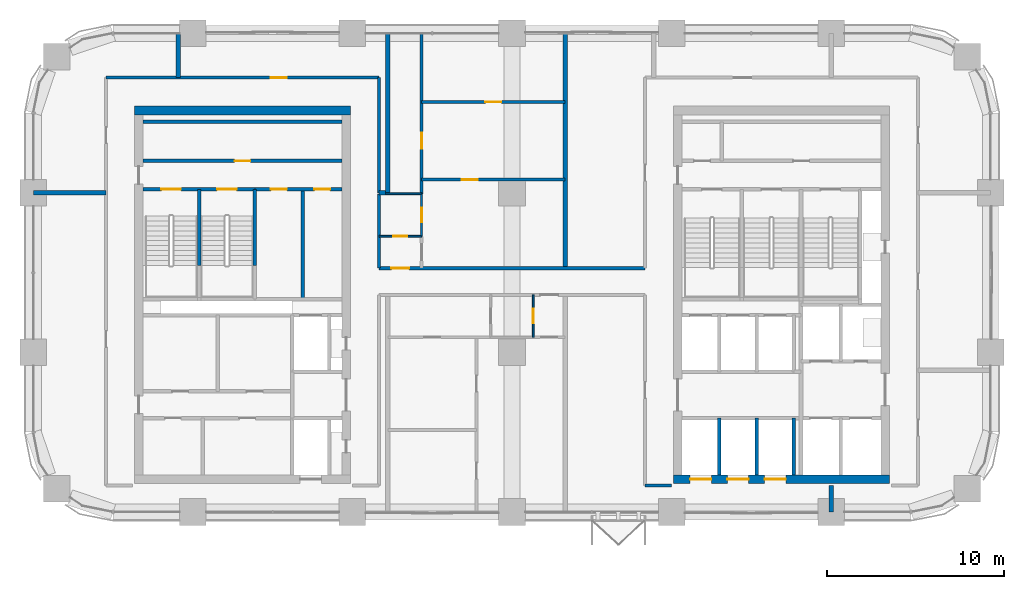
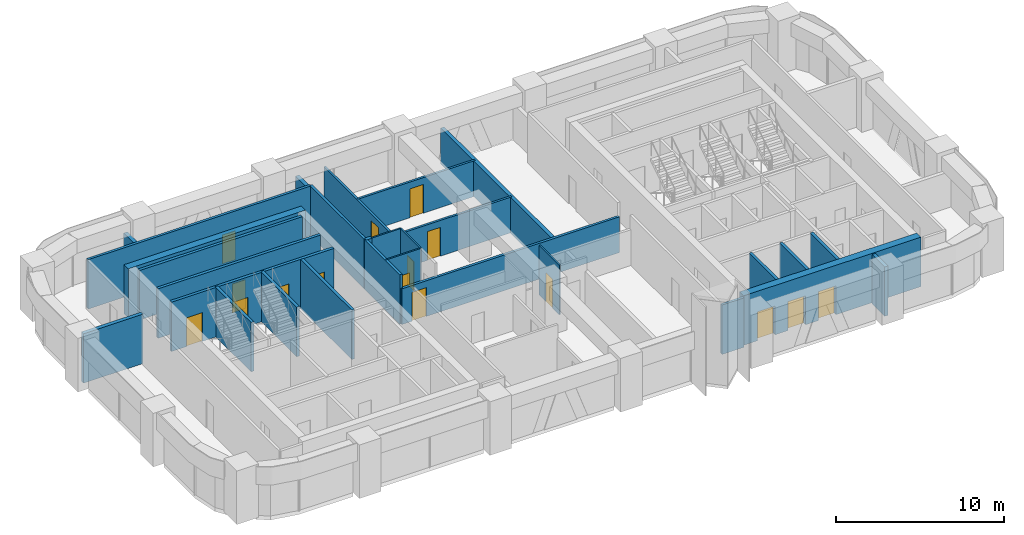
# One storey, part 10 of 14: 30 walls, 16 doors, 16 openings.
"""IFC4 building model written with IfcOpenShell, lengths in metres."""

from ifc_helpers import new_model, si_unit, direction, frame, frame_2d, origin, place, context, subcontext, project, spatial, rectangle, extrude, material, layer, layer_set, type_object, element, fill, save


model = new_model("IFC4")

# Units and contexts
model_context = context("Model", 3, precision=1e-05, world=origin(), true_north=direction((0.0, 1.0)))
body_context = subcontext(model_context, "Body", "Model", "MODEL_VIEW")
ifc_project = project(units=[si_unit("LENGTHUNIT", "METRE"), si_unit("AREAUNIT", "SQUARE_METRE"), si_unit("VOLUMEUNIT", "CUBIC_METRE"), si_unit("PLANEANGLEUNIT", "RADIAN"), si_unit("MASSUNIT", "GRAM", prefix="KILO")], contexts=[model_context])

# Site, building, storey
site_placement = place(None, origin())
site = spatial("IfcSite", under=ifc_project, at=site_placement, CompositionType="ELEMENT")
building_placement = place(site_placement, origin())
building = spatial("IfcBuilding", under=site, at=building_placement, Name="Tessera Arch", CompositionType="ELEMENT")
storey_placement = place(building_placement, frame((0.0, 0.0, 134.89990234375)))
storey = spatial("IfcBuildingStorey", under=building, at=storey_placement, Name="L31", CompositionType="ELEMENT", Elevation=134.89990234375)

# Wall
ifc_material_1 = material(Name="Gypsum board on steel stud", Category="steel")
ifc_layer_1 = layer(ifc_material_1, 0.125)
ifc_layer_set_1 = layer_set([ifc_layer_1], Name="Core partition 125 EI 60")
wall_type_1 = type_object("IfcWallType", Name="Core partition 125 EI 60", PredefinedType="PARTITIONING", material=ifc_layer_set_1)
wall_1_placement = place(storey_placement, frame((15.195068359375, 39.0, 0.0), z_axis=(0.0, 0.0, 1.0), x_axis=(0.0, 1.0, 0.0)))
element("IfcWall", 1, at=wall_1_placement, inside=storey, type_object=wall_type_1, Name="L31 C2 partition wall 10", PredefinedType="PARTITIONING", context=body_context, shape_type="SweptSolid", body=[
    extrude(rectangle(XDim=6.199951171875, YDim=0.199951171875, at=frame_2d((3.10009765625, 0.0))), origin(), (0.0, 0.0, 1.0), 3.60009765625),
])

# Wall, openings, doors
wall_2_placement = place(storey_placement, frame((12.5, 45.199951171875, 0.0), z_axis=(0.0, 0.0, 1.0), x_axis=(1.0, 0.0, 0.0)))
wall_2 = element("IfcWall", 2, at=wall_2_placement, inside=storey, type_object=wall_type_1, Name="L31 C2 partition wall 22", PredefinedType="PARTITIONING", context=body_context, shape_type="SweptSolid", body=[
    extrude(rectangle(XDim=4.89990234375, YDim=0.199951171875, at=frame_2d((2.449951171875, 0.0))), origin(), (0.0, 0.0, 1.0), 3.60009765625),
])
opening_1_placement = place(wall_2_placement, frame((0.8974609375, 0.0, 0.0)))
opening_1 = element("IfcOpeningElement", 3, at=opening_1_placement, cuts=wall_2, Name="Opening L31-C30", PredefinedType="OPENING", context=body_context, shape_type="SweptSolid", body=[
    extrude(rectangle(XDim=0.89990234375, YDim=2.10009765625, at=frame_2d((0.449951171875, 1.050048828125))), frame((0.0, 0.10986328125, 0.0), z_axis=(0.0, -1.0, 0.0), x_axis=(1.0, 0.0, 0.0)), (0.0, 0.0, 1.0), 0.219970703125),
])
opening_2_placement = place(wall_2_placement, frame((3.347412109375, 0.0, 0.0)))
opening_2 = element("IfcOpeningElement", 4, at=opening_2_placement, cuts=wall_2, Name="Opening L31-C31", PredefinedType="OPENING", context=body_context, shape_type="SweptSolid", body=[
    extrude(rectangle(XDim=0.89990234375, YDim=2.10009765625, at=frame_2d((0.449951171875, 1.050048828125))), frame((0.0, 0.10986328125, 0.0), z_axis=(0.0, -1.0, 0.0), x_axis=(1.0, 0.0, 0.0)), (0.0, 0.0, 1.0), 0.219970703125),
])
ifc_material_2 = material(Name="Steel door leaf", Category="steel")
door_type_1 = type_object("IfcDoorType", Name="Store door FD30S 900 x 2100", OperationType="SINGLE_SWING_LEFT", PredefinedType="DOOR", material=ifc_material_2)
door_1_placement = place(opening_1_placement, origin())
door_1 = element("IfcDoor", 5, at=door_1_placement, inside=storey, type_object=door_type_1, Name="L31 C2 door 11 C30 type D09", OperationType="SINGLE_SWING_LEFT", OverallHeight=2.10009765625, OverallWidth=0.89990234375, PredefinedType="DOOR", context=body_context, shape_type="SweptSolid", body=[
    extrude(rectangle(XDim=0.89990234375, YDim=2.10009765625, at=frame_2d((0.449951171875, 1.050048828125))), frame((0.0, 0.02490234375, 0.0), z_axis=(0.0, -1.0, 0.0), x_axis=(1.0, 0.0, 0.0)), (0.0, 0.0, 1.0), 0.050048828125),
])
fill(opening_1, door_1)
door_2_placement = place(opening_2_placement, origin())
door_2 = element("IfcDoor", 6, at=door_2_placement, inside=storey, type_object=door_type_1, Name="L31 C2 door 12 C31 type D09", OperationType="SINGLE_SWING_RIGHT", OverallHeight=2.10009765625, OverallWidth=0.89990234375, PredefinedType="DOOR", context=body_context, shape_type="SweptSolid", body=[
    extrude(rectangle(XDim=0.89990234375, YDim=2.10009765625, at=frame_2d((0.449951171875, 1.050048828125))), frame((0.0, 0.02490234375, 0.0), z_axis=(0.0, -1.0, 0.0), x_axis=(1.0, 0.0, 0.0)), (0.0, 0.0, 1.0), 0.050048828125),
])
fill(opening_2, door_2)

# Wall, opening, door
wall_3_placement = place(storey_placement, frame((6.199951171875, 46.800048828125, 0.0), z_axis=(0.0, 0.0, 1.0), x_axis=(1.0, 0.0, 0.0)))
wall_3 = element("IfcWall", 7, at=wall_3_placement, inside=storey, type_object=wall_type_1, Name="L31 C2 partition wall 24", PredefinedType="PARTITIONING", context=body_context, shape_type="SweptSolid", body=[
    extrude(rectangle(XDim=11.199951171875, YDim=0.199951171875, at=frame_2d((5.60009765625, 0.0))), origin(), (0.0, 0.0, 1.0), 3.60009765625),
])
opening_3_placement = place(wall_3_placement, frame((5.14990234375, 0.0, 0.0)))
opening_3 = element("IfcOpeningElement", 8, at=opening_3_placement, cuts=wall_3, Name="Opening L31-C29", PredefinedType="OPENING", context=body_context, shape_type="SweptSolid", body=[
    extrude(rectangle(XDim=0.89990234375, YDim=2.10009765625, at=frame_2d((0.449951171875, 1.050048828125))), frame((0.0, 0.10986328125, 0.0), z_axis=(0.0, -1.0, 0.0), x_axis=(1.0, 0.0, 0.0)), (0.0, 0.0, 1.0), 0.219970703125),
])
door_3_placement = place(opening_3_placement, origin())
door_3 = element("IfcDoor", 9, at=door_3_placement, inside=storey, type_object=door_type_1, Name="L31 C2 door 10 C29 type D09", OperationType="SINGLE_SWING_RIGHT", OverallHeight=2.10009765625, OverallWidth=0.89990234375, PredefinedType="DOOR", context=body_context, shape_type="SweptSolid", body=[
    extrude(rectangle(XDim=0.89990234375, YDim=2.10009765625, at=frame_2d((0.449951171875, 1.050048828125))), frame((0.0, 0.02490234375, 0.0), z_axis=(0.0, -1.0, 0.0), x_axis=(1.0, 0.0, 0.0)), (0.0, 0.0, 1.0), 0.050048828125),
])
fill(opening_3, door_3)

# Wall
wall_4_placement = place(storey_placement, frame((6.199951171875, 49.0, 0.0), z_axis=(0.0, 0.0, 1.0), x_axis=(1.0, 0.0, 0.0)))
element("IfcWall", 10, at=wall_4_placement, inside=storey, type_object=wall_type_1, Name="L31 C2 partition wall 25", PredefinedType="PARTITIONING", context=body_context, shape_type="SweptSolid", body=[
    extrude(rectangle(XDim=11.199951171875, YDim=0.199951171875, at=frame_2d((5.60009765625, 0.0))), origin(), (0.0, 0.0, 1.0), 3.60009765625),
])

# Wall, openings, doors
ifc_material_3 = material(Name="Concrete C60/75", Category="concrete")
ifc_layer_2 = layer(ifc_material_3, 0.5)
ifc_layer_set_2 = layer_set([ifc_layer_2], Name="Core shell wall 500 C60-75")
wall_type_2 = type_object("IfcWallType", Name="Core shell wall 500 C60-75", PredefinedType="SHEAR", material=ifc_layer_set_2)
wall_5_placement = place(storey_placement, frame((36.10009765625, 28.85009765625, 0.0), z_axis=(0.0, 0.0, 1.0), x_axis=(1.0, 0.0, 0.0)))
wall_5 = element("IfcWall", 11, at=wall_5_placement, inside=storey, type_object=wall_type_2, Name="L31 C1 core wall S", PredefinedType="SHEAR", context=body_context, shape_type="SweptSolid", body=[
    extrude(rectangle(XDim=12.199951171875, YDim=0.5, at=frame_2d((6.10009765625, 0.0))), origin(), (0.0, 0.0, 1.0), 3.60009765625),
])
opening_4_placement = place(wall_5_placement, frame((0.949951171875, 0.0, 0.0)))
opening_4 = element("IfcOpeningElement", 12, at=opening_4_placement, cuts=wall_5, Name="Opening L31-C01", PredefinedType="OPENING", context=body_context, shape_type="SweptSolid", body=[
    extrude(rectangle(XDim=1.199951171875, YDim=2.10009765625, at=frame_2d((0.60009765625, 1.050048828125))), frame((0.0, 0.260009765625, 0.0), z_axis=(0.0, -1.0, 0.0), x_axis=(1.0, 0.0, 0.0)), (0.0, 0.0, 1.0), 0.52001953125),
])
opening_5_placement = place(wall_5_placement, frame((3.050048828125, 0.0, 0.0)))
opening_5 = element("IfcOpeningElement", 13, at=opening_5_placement, cuts=wall_5, Name="Opening L31-C03", PredefinedType="OPENING", context=body_context, shape_type="SweptSolid", body=[
    extrude(rectangle(XDim=1.199951171875, YDim=2.10009765625, at=frame_2d((0.60009765625, 1.050048828125))), frame((0.0, 0.260009765625, 0.0), z_axis=(0.0, -1.0, 0.0), x_axis=(1.0, 0.0, 0.0)), (0.0, 0.0, 1.0), 0.52001953125),
])
opening_6_placement = place(wall_5_placement, frame((5.14990234375, 0.0, 0.0)))
opening_6 = element("IfcOpeningElement", 14, at=opening_6_placement, cuts=wall_5, Name="Opening L31-C05", PredefinedType="OPENING", context=body_context, shape_type="SweptSolid", body=[
    extrude(rectangle(XDim=1.199951171875, YDim=2.10009765625, at=frame_2d((0.60009765625, 1.050048828125))), frame((0.0, 0.260009765625, 0.0), z_axis=(0.0, -1.0, 0.0), x_axis=(1.0, 0.0, 0.0)), (0.0, 0.0, 1.0), 0.52001953125),
])
ifc_material_4 = material(Name="Stainless steel AISI 304", Category="steel")
door_type_2 = type_object("IfcDoorType", Name="Sliding landing door 1200 x 2100", OperationType="SLIDING_TO_LEFT", PredefinedType="DOOR", material=ifc_material_4)
door_4_placement = place(opening_4_placement, origin())
door_4 = element("IfcDoor", 15, at=door_4_placement, inside=storey, type_object=door_type_2, Name="L31 HR1 lift landing door C01 type LD", OperationType="SLIDING_TO_LEFT", OverallHeight=2.10009765625, OverallWidth=1.199951171875, PredefinedType="DOOR", context=body_context, shape_type="SweptSolid", body=[
    extrude(rectangle(XDim=1.199951171875, YDim=2.10009765625, at=frame_2d((0.60009765625, 1.050048828125))), frame((0.0, 0.02490234375, 0.0), z_axis=(0.0, -1.0, 0.0), x_axis=(1.0, 0.0, 0.0)), (0.0, 0.0, 1.0), 0.050048828125),
])
fill(opening_4, door_4)
door_5_placement = place(opening_5_placement, origin())
door_5 = element("IfcDoor", 16, at=door_5_placement, inside=storey, type_object=door_type_2, Name="L31 HR2 lift landing door C03 type LD", OperationType="SLIDING_TO_LEFT", OverallHeight=2.10009765625, OverallWidth=1.199951171875, PredefinedType="DOOR", context=body_context, shape_type="SweptSolid", body=[
    extrude(rectangle(XDim=1.199951171875, YDim=2.10009765625, at=frame_2d((0.60009765625, 1.050048828125))), frame((0.0, 0.02490234375, 0.0), z_axis=(0.0, -1.0, 0.0), x_axis=(1.0, 0.0, 0.0)), (0.0, 0.0, 1.0), 0.050048828125),
])
fill(opening_5, door_5)
door_6_placement = place(opening_6_placement, origin())
door_6 = element("IfcDoor", 17, at=door_6_placement, inside=storey, type_object=door_type_2, Name="L31 HR3 lift landing door C05 type LD", OperationType="SLIDING_TO_LEFT", OverallHeight=2.10009765625, OverallWidth=1.199951171875, PredefinedType="DOOR", context=body_context, shape_type="SweptSolid", body=[
    extrude(rectangle(XDim=1.199951171875, YDim=2.10009765625, at=frame_2d((0.60009765625, 1.050048828125))), frame((0.0, 0.02490234375, 0.0), z_axis=(0.0, -1.0, 0.0), x_axis=(1.0, 0.0, 0.0)), (0.0, 0.0, 1.0), 0.050048828125),
])
fill(opening_6, door_6)

# Walls
wall_6_placement = place(storey_placement, frame((5.699951171875, 49.64990234375, 0.0), z_axis=(0.0, 0.0, 1.0), x_axis=(1.0, 0.0, 0.0)))
element("IfcWall", 18, at=wall_6_placement, inside=storey, type_object=wall_type_2, Name="L31 C2 core wall N", PredefinedType="SHEAR", context=body_context, shape_type="SweptSolid", body=[
    extrude(rectangle(XDim=12.199951171875, YDim=0.5, at=frame_2d((6.10009765625, 0.0))), origin(), (0.0, 0.0, 1.0), 3.60009765625),
])
ifc_material_5 = material(Name="Gypsum board on deep steel stud with mineral wool", Category="steel")
ifc_layer_3 = layer(ifc_material_5, 0.175048828125)
ifc_layer_set_3 = layer_set([ifc_layer_3], Name="Corridor wall 175 EI 60")
wall_type_3 = type_object("IfcWallType", Name="Corridor wall 175 EI 60", PredefinedType="PARTITIONING", material=ifc_layer_set_3)
wall_7_placement = place(storey_placement, frame((34.5, 28.5, 0.0), z_axis=(0.0, 0.0, 1.0), x_axis=(1.0, 0.0, 0.0)))
element("IfcWall", 19, at=wall_7_placement, inside=storey, type_object=wall_type_3, Name="L31 partition 3", PredefinedType="PARTITIONING", context=body_context, shape_type="SweptSolid", body=[
    extrude(rectangle(XDim=1.5, YDim=0.175048828125, at=frame_2d((0.75, 0.0))), origin(), (0.0, 0.0, 1.0), 3.60009765625),
])

# Wall, opening, door
wall_8_placement = place(storey_placement, frame((19.5, 40.75, 0.0), z_axis=(0.0, 0.0, 1.0), x_axis=(1.0, 0.0, 0.0)))
wall_8 = element("IfcWall", 20, at=wall_8_placement, inside=storey, type_object=wall_type_3, Name="L31 partition 6", PredefinedType="PARTITIONING", context=body_context, shape_type="SweptSolid", body=[
    extrude(rectangle(XDim=15.0, YDim=0.175048828125, at=frame_2d((7.5, 0.0))), origin(), (0.0, 0.0, 1.0), 2.60009765625),
])
opening_7_placement = place(wall_8_placement, frame((0.699951171875, 0.0, 0.0)))
opening_7 = element("IfcOpeningElement", 21, at=opening_7_placement, cuts=wall_8, Name="Opening L31-D012", PredefinedType="OPENING", context=body_context, shape_type="SweptSolid", body=[
    extrude(rectangle(XDim=1.0, YDim=2.10009765625, at=frame_2d((0.5, 1.050048828125))), frame((0.0, 0.097412109375, 0.0), z_axis=(0.0, -1.0, 0.0), x_axis=(1.0, 0.0, 0.0)), (0.0, 0.0, 1.0), 0.195068359375),
])
ifc_material_6 = material(Name="Fire-rated door leaf")
door_type_3 = type_object("IfcDoorType", Name="Entrance door FD30S 1000 x 2100", OperationType="SINGLE_SWING_LEFT", PredefinedType="DOOR", material=ifc_material_6)
door_7_placement = place(opening_7_placement, origin())
door_7 = element("IfcDoor", 22, at=door_7_placement, inside=storey, type_object=door_type_3, Name="L31 door D012 type D03", OperationType="SINGLE_SWING_LEFT", OverallHeight=2.10009765625, OverallWidth=1.0, PredefinedType="DOOR", context=body_context, shape_type="SweptSolid", body=[
    extrude(rectangle(XDim=1.0, YDim=2.10009765625, at=frame_2d((0.5, 1.050048828125))), frame((0.0, 0.02490234375, 0.0), z_axis=(0.0, -1.0, 0.0), x_axis=(1.0, 0.0, 0.0)), (0.0, 0.0, 1.0), 0.050048828125),
])
fill(opening_7, door_7)

wall_9_placement = place(storey_placement, frame((4.10009765625, 51.5, 0.0), z_axis=(0.0, 0.0, 1.0), x_axis=(1.0, 0.0, 0.0)))
wall_9 = element("IfcWall", 23, at=wall_9_placement, inside=storey, type_object=wall_type_3, Name="L31 partition 7", PredefinedType="PARTITIONING", context=body_context, shape_type="SweptSolid", body=[
    extrude(rectangle(XDim=15.39990234375, YDim=0.175048828125, at=frame_2d((7.699951171875, 0.0))), origin(), (0.0, 0.0, 1.0), 3.60009765625),
])
opening_8_placement = place(wall_9_placement, frame((9.28369140625, 0.0, 0.0)))
opening_8 = element("IfcOpeningElement", 24, at=opening_8_placement, cuts=wall_9, Name="Opening L31-D022", PredefinedType="OPENING", context=body_context, shape_type="SweptSolid", body=[
    extrude(rectangle(XDim=0.89990234375, YDim=2.10009765625, at=frame_2d((0.449951171875, 1.050048828125))), frame((0.0, 0.097412109375, 0.0), z_axis=(0.0, -1.0, 0.0), x_axis=(1.0, 0.0, 0.0)), (0.0, 0.0, 1.0), 0.195068359375),
])
ifc_material_7 = material(Name="Timber door leaf", Category="wood")
door_type_4 = type_object("IfcDoorType", Name="Room door 900 x 2100", OperationType="SINGLE_SWING_LEFT", PredefinedType="DOOR", material=ifc_material_7)
door_8_placement = place(opening_8_placement, origin())
door_8 = element("IfcDoor", 25, at=door_8_placement, inside=storey, type_object=door_type_4, Name="L31 door D022 type D01", OperationType="SINGLE_SWING_LEFT", OverallHeight=2.10009765625, OverallWidth=0.89990234375, PredefinedType="DOOR", context=body_context, shape_type="SweptSolid", body=[
    extrude(rectangle(XDim=0.89990234375, YDim=2.10009765625, at=frame_2d((0.449951171875, 1.050048828125))), frame((0.0, 0.02490234375, 0.0), z_axis=(0.0, -1.0, 0.0), x_axis=(1.0, 0.0, 0.0)), (0.0, 0.0, 1.0), 0.050048828125),
])
fill(opening_8, door_8)

# Walls
wall_10_placement = place(storey_placement, frame((19.5, 40.75, 0.0), z_axis=(0.0, 0.0, 1.0), x_axis=(0.0, 1.0, 0.0)))
element("IfcWall", 26, at=wall_10_placement, inside=storey, type_object=wall_type_3, Name="L31 partition 11", PredefinedType="PARTITIONING", context=body_context, shape_type="SweptSolid", body=[
    extrude(rectangle(XDim=4.199951171875, YDim=0.175048828125, at=frame_2d((2.10009765625, 0.0))), origin(), (0.0, 0.0, 1.0), 3.60009765625),
])
wall_11_placement = place(storey_placement, frame((19.5, 45.0, 0.0), z_axis=(0.0, 0.0, 1.0), x_axis=(0.0, 1.0, 0.0)))
element("IfcWall", 27, at=wall_11_placement, inside=storey, type_object=wall_type_3, Name="L31 partition 12", PredefinedType="PARTITIONING", context=body_context, shape_type="SweptSolid", body=[
    extrude(rectangle(XDim=6.5, YDim=0.175048828125, at=frame_2d((3.25, 0.0))), origin(), (0.0, 0.0, 1.0), 3.60009765625),
])

# Wall, opening, door
ifc_material_8 = material(Name="Gypsum board on steel stud", Category="steel")
ifc_layer_4 = layer(ifc_material_8, 0.14990234375)
ifc_layer_set_4 = layer_set([ifc_layer_4], Name="Partition 150")
wall_type_4 = type_object("IfcWallType", Name="Partition 150", PredefinedType="PARTITIONING", material=ifc_layer_set_4)
wall_12_placement = place(storey_placement, frame((21.89990234375, 45.75, 0.0), z_axis=(0.0, 0.0, 1.0), x_axis=(1.0, 0.0, 0.0)))
wall_12 = element("IfcWall", 28, at=wall_12_placement, inside=storey, type_object=wall_type_4, Name="L31 partition 19", PredefinedType="PARTITIONING", context=body_context, shape_type="SweptSolid", body=[
    extrude(rectangle(XDim=8.10009765625, YDim=0.14990234375, at=frame_2d((4.050048828125, 0.0))), origin(), (0.0, 0.0, 1.0), 2.60009765625),
])
opening_9_placement = place(wall_12_placement, frame((2.260009765625, 0.0, 0.0)))
opening_9 = element("IfcOpeningElement", 29, at=opening_9_placement, cuts=wall_12, Name="Opening L31-D017", PredefinedType="OPENING", context=body_context, shape_type="SweptSolid", body=[
    extrude(rectangle(XDim=0.89990234375, YDim=2.10009765625, at=frame_2d((0.449951171875, 1.050048828125))), frame((0.0, 0.0849609375, 0.0), z_axis=(0.0, -1.0, 0.0), x_axis=(1.0, 0.0, 0.0)), (0.0, 0.0, 1.0), 0.169921875),
])
door_9_placement = place(opening_9_placement, origin())
door_9 = element("IfcDoor", 30, at=door_9_placement, inside=storey, type_object=door_type_4, Name="L31 door D017 type D01", OperationType="SINGLE_SWING_LEFT", OverallHeight=2.10009765625, OverallWidth=0.89990234375, PredefinedType="DOOR", context=body_context, shape_type="SweptSolid", body=[
    extrude(rectangle(XDim=0.89990234375, YDim=2.10009765625, at=frame_2d((0.449951171875, 1.050048828125))), frame((0.0, 0.02490234375, 0.0), z_axis=(0.0, -1.0, 0.0), x_axis=(1.0, 0.0, 0.0)), (0.0, 0.0, 1.0), 0.050048828125),
])
fill(opening_9, door_9)

wall_13_placement = place(storey_placement, frame((21.89990234375, 50.123046875, 0.0), z_axis=(0.0, 0.0, 1.0), x_axis=(1.0, 0.0, 0.0)))
wall_13 = element("IfcWall", 31, at=wall_13_placement, inside=storey, type_object=wall_type_4, Name="L31 partition 20", PredefinedType="PARTITIONING", context=body_context, shape_type="SweptSolid", body=[
    extrude(rectangle(XDim=8.10009765625, YDim=0.14990234375, at=frame_2d((4.050048828125, 0.0))), origin(), (0.0, 0.0, 1.0), 2.60009765625),
])
opening_10_placement = place(wall_13_placement, frame((3.60009765625, 0.0, 0.0)))
opening_10 = element("IfcOpeningElement", 32, at=opening_10_placement, cuts=wall_13, Name="Opening L31-D018", PredefinedType="OPENING", context=body_context, shape_type="SweptSolid", body=[
    extrude(rectangle(XDim=0.89990234375, YDim=2.10009765625, at=frame_2d((0.449951171875, 1.050048828125))), frame((0.0, 0.0849609375, 0.0), z_axis=(0.0, -1.0, 0.0), x_axis=(1.0, 0.0, 0.0)), (0.0, 0.0, 1.0), 0.169921875),
])
door_10_placement = place(opening_10_placement, origin())
door_10 = element("IfcDoor", 33, at=door_10_placement, inside=storey, type_object=door_type_4, Name="L31 door D018 type D01", OperationType="SINGLE_SWING_LEFT", OverallHeight=2.10009765625, OverallWidth=0.89990234375, PredefinedType="DOOR", context=body_context, shape_type="SweptSolid", body=[
    extrude(rectangle(XDim=0.89990234375, YDim=2.10009765625, at=frame_2d((0.449951171875, 1.050048828125))), frame((0.0, 0.02490234375, 0.0), z_axis=(0.0, -1.0, 0.0), x_axis=(1.0, 0.0, 0.0)), (0.0, 0.0, 1.0), 0.050048828125),
])
fill(opening_10, door_10)

wall_14_placement = place(storey_placement, frame((21.89990234375, 44.949951171875, 0.0), z_axis=(0.0, 0.0, 1.0), x_axis=(0.0, 1.0, 0.0)))
wall_14 = element("IfcWall", 34, at=wall_14_placement, inside=storey, type_object=wall_type_4, Name="L31 partition 22", PredefinedType="PARTITIONING", context=body_context, shape_type="SweptSolid", body=[
    extrude(rectangle(XDim=9.050048828125, YDim=0.14990234375, at=frame_2d((4.52490234375, 0.0))), origin(), (0.0, 0.0, 1.0), 2.60009765625),
])
opening_11_placement = place(wall_14_placement, frame((2.536376953125, 0.0, 0.0)))
opening_11 = element("IfcOpeningElement", 35, at=opening_11_placement, cuts=wall_14, Name="Opening L31-D016", PredefinedType="OPENING", context=body_context, shape_type="SweptSolid", body=[
    extrude(rectangle(XDim=0.89990234375, YDim=2.10009765625, at=frame_2d((0.449951171875, 1.050048828125))), frame((0.0, 0.0849609375, 0.0), z_axis=(0.0, -1.0, 0.0), x_axis=(1.0, 0.0, 0.0)), (0.0, 0.0, 1.0), 0.169921875),
])
door_11_placement = place(opening_11_placement, origin())
door_11 = element("IfcDoor", 36, at=door_11_placement, inside=storey, type_object=door_type_4, Name="L31 door D016 type D01", OperationType="SINGLE_SWING_LEFT", OverallHeight=2.10009765625, OverallWidth=0.89990234375, PredefinedType="DOOR", context=body_context, shape_type="SweptSolid", body=[
    extrude(rectangle(XDim=0.89990234375, YDim=2.10009765625, at=frame_2d((0.449951171875, 1.050048828125))), frame((0.0, 0.02490234375, 0.0), z_axis=(0.0, -1.0, 0.0), x_axis=(1.0, 0.0, 0.0)), (0.0, 0.0, 1.0), 0.050048828125),
])
fill(opening_11, door_11)

# Walls
ifc_material_9 = material(Name="Double gypsum board on twin steel stud with acoustic mineral wool", Category="steel")
ifc_layer_5 = layer(ifc_material_9, 0.25)
ifc_layer_set_5 = layer_set([ifc_layer_5], Name="Party wall 250 EI 60")
wall_type_5 = type_object("IfcWallType", Name="Party wall 250 EI 60", PredefinedType="PARTITIONING", material=ifc_layer_set_5)
wall_15_placement = place(storey_placement, frame((0.0, 45.0, 0.0), z_axis=(0.0, 0.0, 1.0), x_axis=(1.0, 0.0, 0.0)))
element("IfcWall", 37, at=wall_15_placement, inside=storey, type_object=wall_type_5, Name="L31 partition 25", PredefinedType="PARTITIONING", context=body_context, shape_type="SweptSolid", body=[
    extrude(rectangle(XDim=4.10009765625, YDim=0.25, at=frame_2d((2.050048828125, 0.0))), origin(), (0.0, 0.0, 1.0), 3.60009765625),
])
wall_16_placement = place(storey_placement, frame((19.5, 45.0, 0.0), z_axis=(0.0, 0.0, 1.0), x_axis=(1.0, 0.0, 0.0)))
element("IfcWall", 38, at=wall_16_placement, inside=storey, type_object=wall_type_5, Name="L31 partition 26", PredefinedType="PARTITIONING", context=body_context, shape_type="SweptSolid", body=[
    extrude(rectangle(XDim=0.375, YDim=0.25, at=frame_2d((0.1875, 0.0))), origin(), (0.0, 0.0, 1.0), 3.60009765625),
])
wall_17_placement = place(storey_placement, frame((8.16796875, 51.5, 0.0), z_axis=(0.0, 0.0, 1.0), x_axis=(0.0, 1.0, 0.0)))
element("IfcWall", 39, at=wall_17_placement, inside=storey, type_object=wall_type_5, Name="L31 partition 28", PredefinedType="PARTITIONING", context=body_context, shape_type="SweptSolid", body=[
    extrude(rectangle(XDim=2.5, YDim=0.25, at=frame_2d((1.25, 0.0))), origin(), (0.0, 0.0, 1.0), 2.60009765625),
])
wall_18_placement = place(storey_placement, frame((20.0, 44.875, 0.0), z_axis=(0.0, 0.0, 1.0), x_axis=(0.0, 1.0, 0.0)))
element("IfcWall", 40, at=wall_18_placement, inside=storey, type_object=wall_type_5, Name="L31 partition 30", PredefinedType="PARTITIONING", context=body_context, shape_type="SweptSolid", body=[
    extrude(rectangle(XDim=9.125, YDim=0.25, at=frame_2d((4.5625, 0.0))), origin(), (0.0, 0.0, 1.0), 2.60009765625),
])
wall_19_placement = place(storey_placement, frame((30.0, 40.75, 0.0), z_axis=(0.0, 0.0, 1.0), x_axis=(0.0, 1.0, 0.0)))
element("IfcWall", 41, at=wall_19_placement, inside=storey, type_object=wall_type_5, Name="L31 partition 32", PredefinedType="PARTITIONING", context=body_context, shape_type="SweptSolid", body=[
    extrude(rectangle(XDim=13.25, YDim=0.25, at=frame_2d((6.625, 0.0))), origin(), (0.0, 0.0, 1.0), 2.60009765625),
])
wall_20_placement = place(storey_placement, frame((45.0, 27.0, 0.0), z_axis=(0.0, 0.0, 1.0), x_axis=(0.0, 1.0, 0.0)))
element("IfcWall", 42, at=wall_20_placement, inside=storey, type_object=wall_type_5, Name="L31 partition 34", PredefinedType="PARTITIONING", context=body_context, shape_type="SweptSolid", body=[
    extrude(rectangle(XDim=1.5, YDim=0.25, at=frame_2d((0.75, 0.0))), origin(), (0.0, 0.0, 1.0), 3.60009765625),
])
ifc_material_10 = material(Name="Concrete C40/50", Category="concrete")
ifc_layer_6 = layer(ifc_material_10, 0.199951171875)
ifc_layer_set_6 = layer_set([ifc_layer_6], Name="Shaft wall 200 EI 120")
wall_type_6 = type_object("IfcWallType", Name="Shaft wall 200 EI 120", PredefinedType="SOLIDWALL", material=ifc_layer_set_6)
for number, where, z_axis, x_axis, name in (
    (43, (38.699951171875, 29.10009765625, 0.0), (0.0, 0.0, 1.0), (0.0, 1.0, 0.0), "L31 C1 shaft wall 1"),
    (44, (40.800048828125, 29.10009765625, 0.0), (0.0, 0.0, 1.0), (0.0, 1.0, 0.0), "L31 C1 shaft wall 6"),
    (45, (42.89990234375, 29.10009765625, 0.0), (0.0, 0.0, 1.0), (0.0, 1.0, 0.0), "L31 C1 shaft wall 8"),
):
    element("IfcWall", number, at=place(storey_placement, frame(where, z_axis=z_axis, x_axis=x_axis)), inside=storey, type_object=wall_type_6, Name=name, PredefinedType="SOLIDWALL", context=body_context, shape_type="SweptSolid", body=[
        extrude(rectangle(XDim=3.199951171875, YDim=0.199951171875, at=frame_2d((1.60009765625, 0.0))), origin(), (0.0, 0.0, 1.0), 3.60009765625),
    ])
ifc_material_11 = material(Name="Concrete C40/50", Category="concrete")
ifc_layer_7 = layer(ifc_material_11, 0.199951171875)
ifc_layer_set_7 = layer_set([ifc_layer_7], Name="Stair well wall 200 REI 180")
wall_type_7 = type_object("IfcWallType", Name="Stair well wall 200 REI 180", PredefinedType="SOLIDWALL", material=ifc_layer_set_7)
for number, where, z_axis, x_axis, name in (
    (46, (9.35009765625, 40.89990234375, 0.0), (0.0, 0.0, 1.0), (0.0, 1.0, 0.0), "L31 C2 shaft wall 2"),
    (47, (12.5, 40.89990234375, 0.0), (0.0, 0.0, 1.0), (0.0, 1.0, 0.0), "L31 C2 shaft wall 6"),
):
    element("IfcWall", number, at=place(storey_placement, frame(where, z_axis=z_axis, x_axis=x_axis)), inside=storey, type_object=wall_type_7, Name=name, PredefinedType="SOLIDWALL", context=body_context, shape_type="SweptSolid", body=[
        extrude(rectangle(XDim=4.300048828125, YDim=0.199951171875, at=frame_2d((2.14990234375, 0.0))), origin(), (0.0, 0.0, 1.0), 3.60009765625),
    ])

# Wall, openings, doors
wall_21_placement = place(storey_placement, frame((6.199951171875, 45.199951171875, 0.0), z_axis=(0.0, 0.0, 1.0), x_axis=(1.0, 0.0, 0.0)))
wall_21 = element("IfcWall", 48, at=wall_21_placement, inside=storey, type_object=wall_type_7, Name="L31 C2 shaft wall 23", PredefinedType="SOLIDWALL", context=body_context, shape_type="SweptSolid", body=[
    extrude(rectangle(XDim=6.300048828125, YDim=0.199951171875, at=frame_2d((3.14990234375, 0.0))), origin(), (0.0, 0.0, 1.0), 3.60009765625),
])
opening_12_placement = place(wall_21_placement, frame((1.02490234375, 0.0, 0.0)))
opening_12 = element("IfcOpeningElement", 49, at=opening_12_placement, cuts=wall_21, Name="Opening L31-C24", PredefinedType="OPENING", context=body_context, shape_type="SweptSolid", body=[
    extrude(rectangle(XDim=1.10009765625, YDim=2.10009765625, at=frame_2d((0.550048828125, 1.050048828125))), frame((0.0, 0.10986328125, 0.0), z_axis=(0.0, -1.0, 0.0), x_axis=(1.0, 0.0, 0.0)), (0.0, 0.0, 1.0), 0.219970703125),
])
opening_13_placement = place(wall_21_placement, frame((4.175048828125, 0.0, 0.0)))
opening_13 = element("IfcOpeningElement", 50, at=opening_13_placement, cuts=wall_21, Name="Opening L31-C25", PredefinedType="OPENING", context=body_context, shape_type="SweptSolid", body=[
    extrude(rectangle(XDim=1.10009765625, YDim=2.10009765625, at=frame_2d((0.550048828125, 1.050048828125))), frame((0.0, 0.10986328125, 0.0), z_axis=(0.0, -1.0, 0.0), x_axis=(1.0, 0.0, 0.0)), (0.0, 0.0, 1.0), 0.219970703125),
])
ifc_material_12 = material(Name="Steel door leaf", Category="steel")
door_type_5 = type_object("IfcDoorType", Name="Stair door FD60 1100 x 2100", OperationType="SINGLE_SWING_LEFT", PredefinedType="DOOR", material=ifc_material_12)
door_12_placement = place(opening_12_placement, origin())
door_12 = element("IfcDoor", 51, at=door_12_placement, inside=storey, type_object=door_type_5, Name="L31 C2 door 5 C24 type D05", OperationType="SINGLE_SWING_LEFT", OverallHeight=2.10009765625, OverallWidth=1.10009765625, PredefinedType="DOOR", context=body_context, shape_type="SweptSolid", body=[
    extrude(rectangle(XDim=1.10009765625, YDim=2.10009765625, at=frame_2d((0.550048828125, 1.050048828125))), frame((0.0, 0.02490234375, 0.0), z_axis=(0.0, -1.0, 0.0), x_axis=(1.0, 0.0, 0.0)), (0.0, 0.0, 1.0), 0.050048828125),
])
fill(opening_12, door_12)
door_13_placement = place(opening_13_placement, origin())
door_13 = element("IfcDoor", 52, at=door_13_placement, inside=storey, type_object=door_type_5, Name="L31 C2 door 6 C25 type D05", OperationType="SINGLE_SWING_RIGHT", OverallHeight=2.10009765625, OverallWidth=1.10009765625, PredefinedType="DOOR", context=body_context, shape_type="SweptSolid", body=[
    extrude(rectangle(XDim=1.10009765625, YDim=2.10009765625, at=frame_2d((0.550048828125, 1.050048828125))), frame((0.0, 0.02490234375, 0.0), z_axis=(0.0, -1.0, 0.0), x_axis=(1.0, 0.0, 0.0)), (0.0, 0.0, 1.0), 0.050048828125),
])
fill(opening_13, door_13)

# Wall, opening, door
ifc_material_13 = material(Name="Moisture-resistant board on pre-plumbed steel stud", Category="steel")
ifc_layer_8 = layer(ifc_material_13, 0.10009765625)
ifc_layer_set_8 = layer_set([ifc_layer_8], Name="Wet wall 100")
wall_type_8 = type_object("IfcWallType", Name="Wet wall 100", PredefinedType="PARTITIONING", material=ifc_layer_set_8)
wall_22_placement = place(storey_placement, frame((19.5, 42.550048828125, 0.0), z_axis=(0.0, 0.0, 1.0), x_axis=(1.0, 0.0, 0.0)))
wall_22 = element("IfcWall", 53, at=wall_22_placement, inside=storey, type_object=wall_type_8, Name="L31 partition 37", PredefinedType="PARTITIONING", context=body_context, shape_type="SweptSolid", body=[
    extrude(rectangle(XDim=2.39990234375, YDim=0.10009765625, at=frame_2d((1.199951171875, 0.0))), origin(), (0.0, 0.0, 1.0), 3.60009765625),
])
opening_14_placement = place(wall_22_placement, frame((0.800048828125, 0.0, 0.0)))
opening_14 = element("IfcOpeningElement", 54, at=opening_14_placement, cuts=wall_22, Name="Opening L31-D014", PredefinedType="OPENING", context=body_context, shape_type="SweptSolid", body=[
    extrude(rectangle(XDim=0.800048828125, YDim=2.10009765625, at=frame_2d((0.39990234375, 1.050048828125))), frame((0.0, 0.06005859375, 0.0), z_axis=(0.0, -1.0, 0.0), x_axis=(1.0, 0.0, 0.0)), (0.0, 0.0, 1.0), 0.1201171875),
])
ifc_material_14 = material(Name="Timber door leaf", Category="wood")
door_type_6 = type_object("IfcDoorType", Name="En-suite door 800 x 2100", OperationType="SINGLE_SWING_LEFT", PredefinedType="DOOR", material=ifc_material_14)
door_14_placement = place(opening_14_placement, origin())
door_14 = element("IfcDoor", 55, at=door_14_placement, inside=storey, type_object=door_type_6, Name="L31 door D014 type D02", OperationType="SINGLE_SWING_LEFT", OverallHeight=2.10009765625, OverallWidth=0.800048828125, PredefinedType="DOOR", context=body_context, shape_type="SweptSolid", body=[
    extrude(rectangle(XDim=0.800048828125, YDim=2.10009765625, at=frame_2d((0.39990234375, 1.050048828125))), frame((0.0, 0.02490234375, 0.0), z_axis=(0.0, -1.0, 0.0), x_axis=(1.0, 0.0, 0.0)), (0.0, 0.0, 1.0), 0.050048828125),
])
fill(opening_14, door_14)

# Wall
wall_23_placement = place(storey_placement, frame((19.5, 44.949951171875, 0.0), z_axis=(0.0, 0.0, 1.0), x_axis=(1.0, 0.0, 0.0)))
element("IfcWall", 56, at=wall_23_placement, inside=storey, type_object=wall_type_8, Name="L31 partition 38", PredefinedType="PARTITIONING", context=body_context, shape_type="SweptSolid", body=[
    extrude(rectangle(XDim=2.39990234375, YDim=0.10009765625, at=frame_2d((1.199951171875, 0.0))), origin(), (0.0, 0.0, 1.0), 3.60009765625),
])

# Wall, opening, door
wall_24_placement = place(storey_placement, frame((21.89990234375, 42.550048828125, 0.0), z_axis=(0.0, 0.0, 1.0), x_axis=(0.0, 1.0, 0.0)))
wall_24 = element("IfcWall", 57, at=wall_24_placement, inside=storey, type_object=wall_type_8, Name="L31 partition 39", PredefinedType="PARTITIONING", context=body_context, shape_type="SweptSolid", body=[
    extrude(rectangle(XDim=2.39990234375, YDim=0.10009765625, at=frame_2d((1.199951171875, 0.0))), origin(), (0.0, 0.0, 1.0), 3.60009765625),
])
opening_15_placement = place(wall_24_placement, frame((0.800048828125, 0.0, 0.0)))
opening_15 = element("IfcOpeningElement", 58, at=opening_15_placement, cuts=wall_24, Name="Opening L31-D015", PredefinedType="OPENING", context=body_context, shape_type="SweptSolid", body=[
    extrude(rectangle(XDim=0.800048828125, YDim=2.10009765625, at=frame_2d((0.39990234375, 1.050048828125))), frame((0.0, 0.06005859375, 0.0), z_axis=(0.0, -1.0, 0.0), x_axis=(1.0, 0.0, 0.0)), (0.0, 0.0, 1.0), 0.1201171875),
])
door_15_placement = place(opening_15_placement, origin())
door_15 = element("IfcDoor", 59, at=door_15_placement, inside=storey, type_object=door_type_6, Name="L31 door D015 type D02", OperationType="SINGLE_SWING_RIGHT", OverallHeight=2.10009765625, OverallWidth=0.800048828125, PredefinedType="DOOR", context=body_context, shape_type="SweptSolid", body=[
    extrude(rectangle(XDim=0.800048828125, YDim=2.10009765625, at=frame_2d((0.39990234375, 1.050048828125))), frame((0.0, 0.02490234375, 0.0), z_axis=(0.0, -1.0, 0.0), x_axis=(1.0, 0.0, 0.0)), (0.0, 0.0, 1.0), 0.050048828125),
])
fill(opening_15, door_15)

wall_25_placement = place(storey_placement, frame((28.199951171875, 36.85009765625, 0.0), z_axis=(0.0, 0.0, 1.0), x_axis=(0.0, 1.0, 0.0)))
wall_25 = element("IfcWall", 60, at=wall_25_placement, inside=storey, type_object=wall_type_8, Name="L31 partition 41", PredefinedType="PARTITIONING", context=body_context, shape_type="SweptSolid", body=[
    extrude(rectangle(XDim=2.39990234375, YDim=0.10009765625, at=frame_2d((1.199951171875, 0.0))), origin(), (0.0, 0.0, 1.0), 3.60009765625),
])
opening_16_placement = place(wall_25_placement, frame((0.800048828125, 0.0, 0.0)))
opening_16 = element("IfcOpeningElement", 61, at=opening_16_placement, cuts=wall_25, Name="Opening L31-D005", PredefinedType="OPENING", context=body_context, shape_type="SweptSolid", body=[
    extrude(rectangle(XDim=0.800048828125, YDim=2.10009765625, at=frame_2d((0.39990234375, 1.050048828125))), frame((0.0, 0.06005859375, 0.0), z_axis=(0.0, -1.0, 0.0), x_axis=(1.0, 0.0, 0.0)), (0.0, 0.0, 1.0), 0.1201171875),
])
door_16_placement = place(opening_16_placement, origin())
door_16 = element("IfcDoor", 62, at=door_16_placement, inside=storey, type_object=door_type_6, Name="L31 door D005 type D02", OperationType="SINGLE_SWING_RIGHT", OverallHeight=2.10009765625, OverallWidth=0.800048828125, PredefinedType="DOOR", context=body_context, shape_type="SweptSolid", body=[
    extrude(rectangle(XDim=0.800048828125, YDim=2.10009765625, at=frame_2d((0.39990234375, 1.050048828125))), frame((0.0, 0.02490234375, 0.0), z_axis=(0.0, -1.0, 0.0), x_axis=(1.0, 0.0, 0.0)), (0.0, 0.0, 1.0), 0.050048828125),
])
fill(opening_16, door_16)

save(model, "model.ifc")
